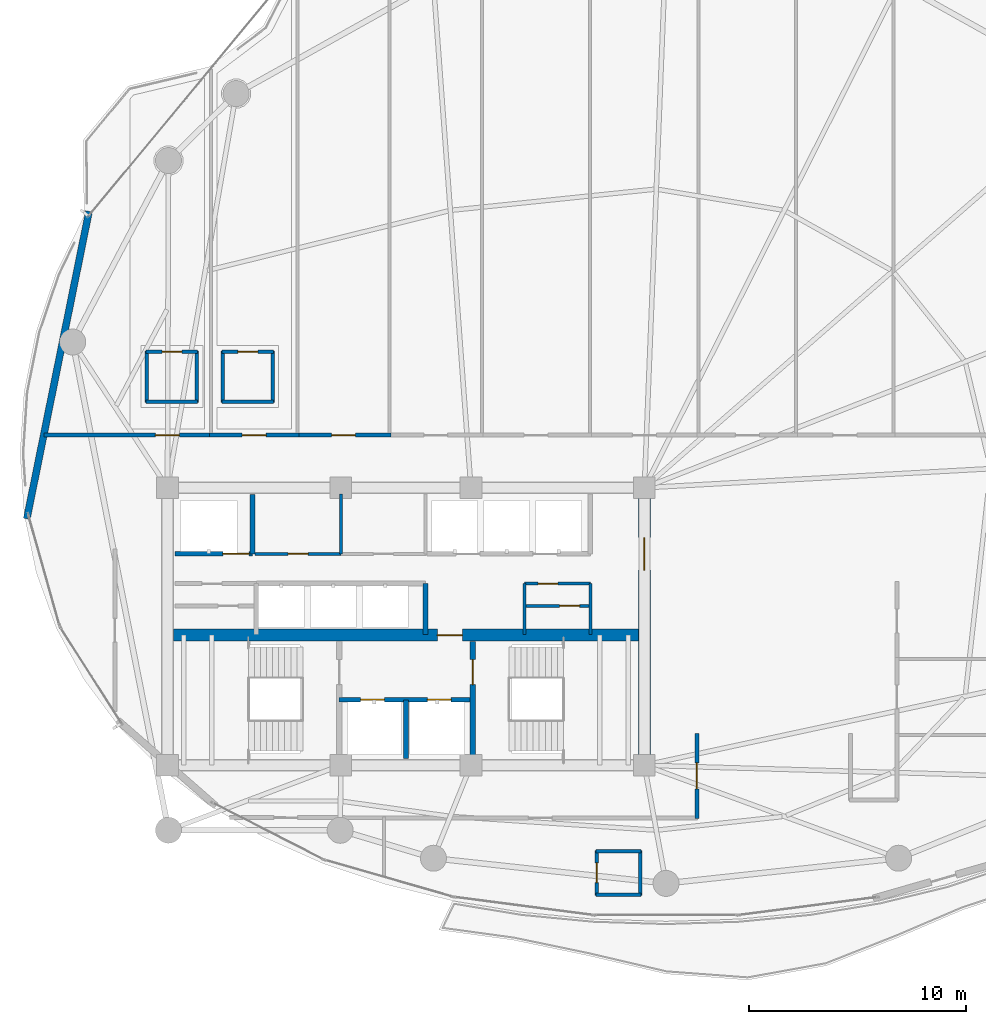
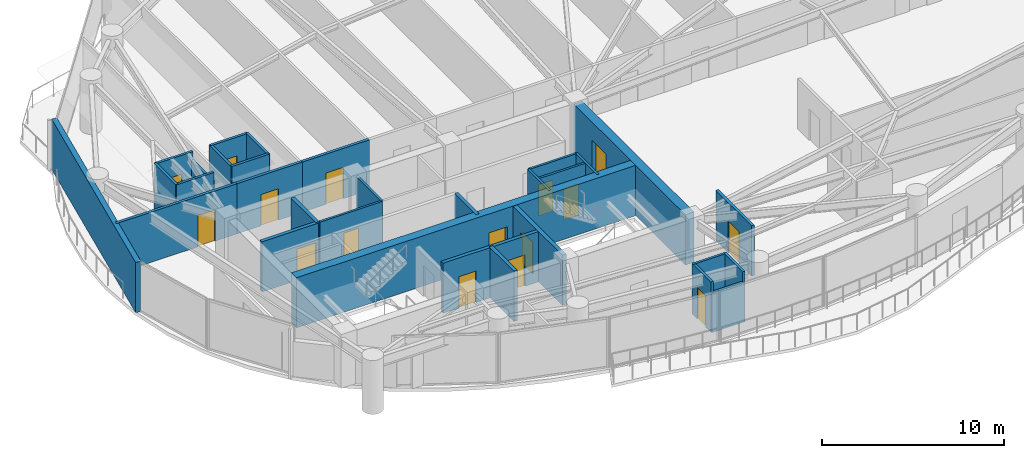
# One storey, part 23 of 28: 31 walls, 16 doors, 16 openings.
"""IFC4 building model written with IfcOpenShell, lengths in metres."""

from ifc_helpers import new_model, si_unit, direction, frame, frame_2d, origin, place, context, subcontext, project, spatial, rectangle, extrude, material, layer, layer_set, type_object, element, fill, save


model = new_model("IFC4")

# Units and contexts
model_context = context("Model", 3, precision=1e-05, world=origin(), true_north=direction((0.0, 1.0)))
body_context = subcontext(model_context, "Body", "Model", "MODEL_VIEW")
ifc_project = project(units=[si_unit("LENGTHUNIT", "METRE"), si_unit("AREAUNIT", "SQUARE_METRE"), si_unit("VOLUMEUNIT", "CUBIC_METRE"), si_unit("PLANEANGLEUNIT", "RADIAN"), si_unit("MASSUNIT", "GRAM", prefix="KILO")], contexts=[model_context])

# Site, building, storey
site_placement = place(None, origin())
site = spatial("IfcSite", under=ifc_project, at=site_placement, CompositionType="ELEMENT")
building_placement = place(site_placement, origin())
building = spatial("IfcBuilding", under=site, at=building_placement, Name="Kazevale Care Tower and Concert Hall", CompositionType="ELEMENT")
storey_placement = place(building_placement, frame((0.0, 0.0, 109.800048828125)))
storey = spatial("IfcBuildingStorey", under=building, at=storey_placement, Name="L28", CompositionType="ELEMENT", Elevation=109.800048828125)

# Wall, opening, door
ifc_material_1 = material(Name="Acoustic Gypsum on Steel Stud", Category="steel")
ifc_layer_1 = layer(ifc_material_1, 0.139892578125)
ifc_layer_set_1 = layer_set([ifc_layer_1], Name="Acoustic Gypsum on Steel Stud")
wall_type_1 = type_object("IfcWallType", Name="Acoustic Care & Suite Partition 140", PredefinedType="PARTITIONING", material=ifc_layer_set_1)
wall_1_placement = place(storey_placement, frame((26.050048828125, 33.35009765625, 0.0), z_axis=(0.0, 0.0, 1.0), x_axis=(1.0, 0.0, 0.0)))
wall_1 = element("IfcWall", 1, at=wall_1_placement, inside=storey, type_object=wall_type_1, Name="wall:L28:c_rpl1_s", PredefinedType="PARTITIONING", context=body_context, shape_type="SweptSolid", body=[
    extrude(rectangle(XDim=3.949951171875, YDim=0.139892578125, at=frame_2d((1.97509765625, 0.0))), origin(), (0.0, 0.0, 1.0), 3.35986328125),
])
opening_1_placement = place(wall_1_placement, frame((1.514892578125, 0.0, 0.0)))
opening_1 = element("IfcOpeningElement", 2, at=opening_1_placement, cuts=wall_1, Name="Opening ID-900", PredefinedType="OPENING", context=body_context, shape_type="SweptSolid", body=[
    extrude(rectangle(XDim=0.919921875, YDim=2.10009765625, at=frame_2d((0.4599609375, 1.050048828125))), frame((0.0, 0.079833984375, 0.0), z_axis=(0.0, -1.0, 0.0), x_axis=(1.0, 0.0, 0.0)), (0.0, 0.0, 1.0), 0.159912109375),
])
ifc_material_2 = material(Name="Oak Timber Fire Leaf", Category="wood")
door_type_1 = type_object("IfcDoorType", Name="Bathroom & Service Door 920x2100", OperationType="NOTDEFINED", PredefinedType="DOOR", material=ifc_material_2)
door_1_placement = place(opening_1_placement, origin())
door_1 = element("IfcDoor", 3, at=door_1_placement, inside=storey, type_object=door_type_1, Name="door:L28:d_rpl1", OperationType="SINGLE_SWING_LEFT", OverallHeight=2.10009765625, OverallWidth=0.919921875, PredefinedType="DOOR", context=body_context, shape_type="SweptSolid", body=[
    extrude(rectangle(XDim=0.919921875, YDim=2.10009765625, at=frame_2d((0.4599609375, 1.050048828125))), frame((0.0, 0.02490234375, 0.0), z_axis=(0.0, -1.0, 0.0), x_axis=(1.0, 0.0, 0.0)), (0.0, 0.0, 1.0), 0.050048828125),
])
fill(opening_1, door_1)

# Walls
wall_2_placement = place(storey_placement, frame((30.0, 33.35009765625, 0.0), z_axis=(0.0, 0.0, 1.0), x_axis=(0.0, 1.0, 0.0)))
element("IfcWall", 4, at=wall_2_placement, inside=storey, type_object=wall_type_1, Name="wall:L28:c_rpl_m", PredefinedType="PARTITIONING", context=body_context, shape_type="SweptSolid", body=[
    extrude(rectangle(XDim=2.75, YDim=0.139892578125, at=frame_2d((1.375, 0.0))), origin(), (0.0, 0.0, 1.0), 3.35986328125),
])
for number, where, z_axis, x_axis, name in (
    (5, (38.47998046875, 29.6201171875, 0.0), (0.0, 0.0, 1.0), (0.0, 1.0, 0.0), "wall:L28:kc_ew"),
    (6, (41.52001953125, 29.6201171875, 0.0), (0.0, 0.0, 1.0), (0.0, 1.0, 0.0), "wall:L28:kc_ee"),
):
    element("IfcWall", number, at=place(storey_placement, frame(where, z_axis=z_axis, x_axis=x_axis)), inside=storey, type_object=wall_type_1, Name=name, PredefinedType="PARTITIONING", context=body_context, shape_type="SweptSolid", body=[
        extrude(rectangle(XDim=2.35986328125, YDim=0.139892578125, at=frame_2d((1.179931640625, 0.0))), origin(), (0.0, 0.0, 1.0), 3.35986328125),
    ])

# Wall, opening, door
wall_3_placement = place(storey_placement, frame((38.47998046875, 30.949951171875, 0.0), z_axis=(0.0, 0.0, 1.0), x_axis=(1.0, 0.0, 0.0)))
wall_3 = element("IfcWall", 7, at=wall_3_placement, inside=storey, type_object=wall_type_1, Name="wall:L28:kc_em", PredefinedType="PARTITIONING", context=body_context, shape_type="SweptSolid", body=[
    extrude(rectangle(XDim=3.0400390625, YDim=0.139892578125, at=frame_2d((1.52001953125, 0.0))), origin(), (0.0, 0.0, 1.0), 3.35986328125),
])
opening_2_placement = place(wall_3_placement, frame((1.616943359375, 0.0, 0.0)))
opening_2 = element("IfcOpeningElement", 8, at=opening_2_placement, cuts=wall_3, Name="Opening ID-900", PredefinedType="OPENING", context=body_context, shape_type="SweptSolid", body=[
    extrude(rectangle(XDim=0.919921875, YDim=2.10009765625, at=frame_2d((0.4599609375, 1.050048828125))), frame((0.0, 0.079833984375, 0.0), z_axis=(0.0, -1.0, 0.0), x_axis=(1.0, 0.0, 0.0)), (0.0, 0.0, 1.0), 0.159912109375),
])
door_2_placement = place(opening_2_placement, origin())
door_2 = element("IfcDoor", 9, at=door_2_placement, inside=storey, type_object=door_type_1, Name="door:L28:d_kceb", OperationType="SINGLE_SWING_RIGHT", OverallHeight=2.10009765625, OverallWidth=0.919921875, PredefinedType="DOOR", context=body_context, shape_type="SweptSolid", body=[
    extrude(rectangle(XDim=0.919921875, YDim=2.10009765625, at=frame_2d((0.4599609375, 1.050048828125))), frame((0.0, 0.02490234375, 0.0), z_axis=(0.0, -1.0, 0.0), x_axis=(1.0, 0.0, 0.0)), (0.0, 0.0, 1.0), 0.050048828125),
])
fill(opening_2, door_2)

wall_4_placement = place(storey_placement, frame((38.47998046875, 31.97998046875, 0.0), z_axis=(0.0, 0.0, 1.0), x_axis=(1.0, 0.0, 0.0)))
wall_4 = element("IfcWall", 10, at=wall_4_placement, inside=storey, type_object=wall_type_1, Name="wall:L28:kc_en", PredefinedType="PARTITIONING", context=body_context, shape_type="SweptSolid", body=[
    extrude(rectangle(XDim=3.0400390625, YDim=0.139892578125, at=frame_2d((1.52001953125, 0.0))), origin(), (0.0, 0.0, 1.0), 3.35986328125),
])
opening_3_placement = place(wall_4_placement, frame((0.614013671875, 0.0, 0.0)))
opening_3 = element("IfcOpeningElement", 11, at=opening_3_placement, cuts=wall_4, Name="Opening ID-900", PredefinedType="OPENING", context=body_context, shape_type="SweptSolid", body=[
    extrude(rectangle(XDim=0.919921875, YDim=2.10009765625, at=frame_2d((0.4599609375, 1.050048828125))), frame((0.0, 0.079833984375, 0.0), z_axis=(0.0, -1.0, 0.0), x_axis=(1.0, 0.0, 0.0)), (0.0, 0.0, 1.0), 0.159912109375),
])
door_3_placement = place(opening_3_placement, origin())
door_3 = element("IfcDoor", 12, at=door_3_placement, inside=storey, type_object=door_type_1, Name="door:L28:d_kcet", OperationType="SINGLE_SWING_LEFT", OverallHeight=2.10009765625, OverallWidth=0.919921875, PredefinedType="DOOR", context=body_context, shape_type="SweptSolid", body=[
    extrude(rectangle(XDim=0.919921875, YDim=2.10009765625, at=frame_2d((0.4599609375, 1.050048828125))), frame((0.0, 0.02490234375, 0.0), z_axis=(0.0, -1.0, 0.0), x_axis=(1.0, 0.0, 0.0)), (0.0, 0.0, 1.0), 0.050048828125),
])
fill(opening_3, door_3)

ifc_material_3 = material(Name="Concrete C60", Category="concrete")
ifc_layer_2 = layer(ifc_material_3, 0.550048828125)
ifc_layer_set_2 = layer_set([ifc_layer_2], Name="Concrete C60")
wall_type_2 = type_object("IfcWallType", Name="Core Shear Wall 550 C60", PredefinedType="SHEAR", material=ifc_layer_set_2)
wall_5_placement = place(storey_placement, frame((44.0, 23.875, 0.0), z_axis=(0.0, 0.0, 1.0), x_axis=(0.0, 1.0, 0.0)))
wall_5 = element("IfcWall", 13, at=wall_5_placement, inside=storey, type_object=wall_type_2, Name="wall:L28:core:E", PredefinedType="SHEAR", context=body_context, shape_type="SweptSolid", body=[
    extrude(rectangle(XDim=12.25, YDim=0.550048828125, at=frame_2d((6.125, 0.0))), origin(), (0.0, 0.0, 1.0), 3.35986328125),
])
opening_4_placement = place(wall_5_placement, frame((8.72509765625, 0.0, 0.0)))
opening_4 = element("IfcOpeningElement", 14, at=opening_4_placement, cuts=wall_5, Name="Opening FD-60D", PredefinedType="OPENING", context=body_context, shape_type="SweptSolid", body=[
    extrude(rectangle(XDim=1.5, YDim=2.14990234375, at=frame_2d((0.75, 1.074951171875))), frame((0.0, 0.284912109375, 0.0), z_axis=(0.0, -1.0, 0.0), x_axis=(1.0, 0.0, 0.0)), (0.0, 0.0, 1.0), 0.570068359375),
])
door_type_2 = type_object("IfcDoorType", Name="Double Lobby & Auditorium Fire Door 1500x2150", OperationType="NOTDEFINED", PredefinedType="DOOR", material=ifc_material_2)
door_4_placement = place(opening_4_placement, origin())
door_4 = element("IfcDoor", 15, at=door_4_placement, inside=storey, type_object=door_type_2, Name="door:L28:core_east_out", OperationType="DOUBLE_DOOR_SINGLE_SWING", OverallHeight=2.14990234375, OverallWidth=1.5, PredefinedType="DOOR", context=body_context, shape_type="SweptSolid", body=[
    extrude(rectangle(XDim=1.5, YDim=2.14990234375, at=frame_2d((0.75, 1.074951171875))), frame((0.0, 0.02490234375, 0.0), z_axis=(0.0, -1.0, 0.0), x_axis=(1.0, 0.0, 0.0)), (0.0, 0.0, 1.0), 0.050048828125),
])
fill(opening_4, door_4)

wall_6_placement = place(storey_placement, frame((22.27490234375, 29.60009765625, 0.0), z_axis=(0.0, 0.0, 1.0), x_axis=(1.0, 0.0, 0.0)))
wall_6 = element("IfcWall", 16, at=wall_6_placement, inside=storey, type_object=wall_type_2, Name="wall:L28:core:M", PredefinedType="SHEAR", context=body_context, shape_type="SweptSolid", body=[
    extrude(rectangle(XDim=21.4501953125, YDim=0.550048828125, at=frame_2d((10.72509765625, 0.0))), origin(), (0.0, 0.0, 1.0), 3.35986328125),
])
opening_5_placement = place(wall_6_placement, frame((12.175048828125, 0.0, 0.0)))
opening_5 = element("IfcOpeningElement", 17, at=opening_5_placement, cuts=wall_6, Name="Opening FD-90", PredefinedType="OPENING", context=body_context, shape_type="SweptSolid", body=[
    extrude(rectangle(XDim=1.14990234375, YDim=2.10009765625, at=frame_2d((0.574951171875, 1.050048828125))), frame((0.0, 0.284912109375, 0.0), z_axis=(0.0, -1.0, 0.0), x_axis=(1.0, 0.0, 0.0)), (0.0, 0.0, 1.0), 0.570068359375),
])
ifc_material_4 = material(Name="Steel ASTM A572 Gr 50", Category="steel")
door_type_3 = type_object("IfcDoorType", Name="Pressurized Stair & Lobby Fire Door 1150x2100", OperationType="NOTDEFINED", PredefinedType="DOOR", material=ifc_material_4)
door_5_placement = place(opening_5_placement, origin())
door_5 = element("IfcDoor", 18, at=door_5_placement, inside=storey, type_object=door_type_3, Name="door:L28:ff_to_pax", OperationType="SINGLE_SWING_LEFT", OverallHeight=2.10009765625, OverallWidth=1.14990234375, PredefinedType="DOOR", context=body_context, shape_type="SweptSolid", body=[
    extrude(rectangle(XDim=1.14990234375, YDim=2.10009765625, at=frame_2d((0.574951171875, 1.050048828125))), frame((0.0, 0.02490234375, 0.0), z_axis=(0.0, -1.0, 0.0), x_axis=(1.0, 0.0, 0.0)), (0.0, 0.0, 1.0), 0.050048828125),
])
fill(opening_5, door_5)

# Wall, openings, doors
ifc_material_5 = material(Name="Concrete C40", Category="concrete")
ifc_layer_3 = layer(ifc_material_5, 0.219970703125)
ifc_layer_set_3 = layer_set([ifc_layer_3], Name="Concrete C40")
wall_type_3 = type_object("IfcWallType", Name="Elevator Hoistway Shaft Wall 220", PredefinedType="SOLIDWALL", material=ifc_layer_set_3)
wall_7_placement = place(storey_placement, frame((29.919921875, 26.6201171875, 0.0), z_axis=(0.0, 0.0, 1.0), x_axis=(1.0, 0.0, 0.0)))
wall_7 = element("IfcWall", 19, at=wall_7_placement, inside=storey, type_object=wall_type_3, Name="wall:L28:c_ffl_n", PredefinedType="SOLIDWALL", context=body_context, shape_type="SweptSolid", body=[
    extrude(rectangle(XDim=6.16015625, YDim=0.219970703125, at=frame_2d((3.080078125, 0.0))), origin(), (0.0, 0.0, 1.0), 3.35986328125),
])
opening_6_placement = place(wall_7_placement, frame((0.989990234375, 0.0, 0.0)))
opening_6 = element("IfcOpeningElement", 20, at=opening_6_placement, cuts=wall_7, Name="Opening LD-FF", PredefinedType="OPENING", context=body_context, shape_type="SweptSolid", body=[
    extrude(rectangle(XDim=1.10009765625, YDim=2.10009765625, at=frame_2d((0.550048828125, 1.050048828125))), frame((0.0, 0.119873046875, 0.0), z_axis=(0.0, -1.0, 0.0), x_axis=(1.0, 0.0, 0.0)), (0.0, 0.0, 1.0), 0.239990234375),
])
opening_7_placement = place(wall_7_placement, frame((4.070068359375, 0.0, 0.0)))
opening_7 = element("IfcOpeningElement", 21, at=opening_7_placement, cuts=wall_7, Name="Opening LD-FF", PredefinedType="OPENING", context=body_context, shape_type="SweptSolid", body=[
    extrude(rectangle(XDim=1.10009765625, YDim=2.10009765625, at=frame_2d((0.550048828125, 1.050048828125))), frame((0.0, 0.119873046875, 0.0), z_axis=(0.0, -1.0, 0.0), x_axis=(1.0, 0.0, 0.0)), (0.0, 0.0, 1.0), 0.239990234375),
])
ifc_material_6 = material(Name="Stainless Steel 316", Category="steel")
door_type_4 = type_object("IfcDoorType", Name="Emergency Lift Sliding Landing Door 1100x2100", OperationType="NOTDEFINED", PredefinedType="DOOR", material=ifc_material_6)
door_6_placement = place(opening_6_placement, origin())
door_6 = element("IfcDoor", 22, at=door_6_placement, inside=storey, type_object=door_type_4, Name="door:L28:ld_ffl1", OperationType="SLIDING_TO_LEFT", OverallHeight=2.10009765625, OverallWidth=1.10009765625, PredefinedType="DOOR", context=body_context, shape_type="SweptSolid", body=[
    extrude(rectangle(XDim=1.10009765625, YDim=2.10009765625, at=frame_2d((0.550048828125, 1.050048828125))), frame((0.0, 0.02490234375, 0.0), z_axis=(0.0, -1.0, 0.0), x_axis=(1.0, 0.0, 0.0)), (0.0, 0.0, 1.0), 0.050048828125),
])
fill(opening_6, door_6)
door_7_placement = place(opening_7_placement, origin())
door_7 = element("IfcDoor", 23, at=door_7_placement, inside=storey, type_object=door_type_4, Name="door:L28:ld_ffl2", OperationType="SLIDING_TO_RIGHT", OverallHeight=2.10009765625, OverallWidth=1.10009765625, PredefinedType="DOOR", context=body_context, shape_type="SweptSolid", body=[
    extrude(rectangle(XDim=1.10009765625, YDim=2.10009765625, at=frame_2d((0.550048828125, 1.050048828125))), frame((0.0, 0.02490234375, 0.0), z_axis=(0.0, -1.0, 0.0), x_axis=(1.0, 0.0, 0.0)), (0.0, 0.0, 1.0), 0.050048828125),
])
fill(opening_7, door_7)

# Walls
wall_8_placement = place(storey_placement, frame((33.0, 23.89990234375, 0.0), z_axis=(0.0, 0.0, 1.0), x_axis=(0.0, 1.0, 0.0)))
element("IfcWall", 24, at=wall_8_placement, inside=storey, type_object=wall_type_3, Name="wall:L28:c_ffl_m", PredefinedType="SOLIDWALL", context=body_context, shape_type="SweptSolid", body=[
    extrude(rectangle(XDim=2.72021484375, YDim=0.219970703125, at=frame_2d((1.360107421875, 0.0))), origin(), (0.0, 0.0, 1.0), 3.35986328125),
])
wall_9_placement = place(storey_placement, frame((25.919921875, 33.35009765625, 0.0), z_axis=(0.0, 0.0, 1.0), x_axis=(0.0, 1.0, 0.0)))
element("IfcWall", 25, at=wall_9_placement, inside=storey, type_object=wall_type_3, Name="wall:L28:c_svl_e", PredefinedType="SOLIDWALL", context=body_context, shape_type="SweptSolid", body=[
    extrude(rectangle(XDim=2.72998046875, YDim=0.219970703125, at=frame_2d((1.364990234375, 0.0))), origin(), (0.0, 0.0, 1.0), 3.35986328125),
])

# Wall, opening, door
wall_10_placement = place(storey_placement, frame((22.35009765625, 33.35009765625, 0.0), z_axis=(0.0, 0.0, 1.0), x_axis=(1.0, 0.0, 0.0)))
wall_10 = element("IfcWall", 26, at=wall_10_placement, inside=storey, type_object=wall_type_3, Name="wall:L28:c_svl_s", PredefinedType="SOLIDWALL", context=body_context, shape_type="SweptSolid", body=[
    extrude(rectangle(XDim=3.56982421875, YDim=0.219970703125, at=frame_2d((1.784912109375, 0.0))), origin(), (0.0, 0.0, 1.0), 3.35986328125),
])
opening_8_placement = place(wall_10_placement, frame((2.212890625, 0.0, 0.0)))
opening_8 = element("IfcOpeningElement", 27, at=opening_8_placement, cuts=wall_10, Name="Opening LD-SV", PredefinedType="OPENING", context=body_context, shape_type="SweptSolid", body=[
    extrude(rectangle(XDim=1.199951171875, YDim=2.10009765625, at=frame_2d((0.60009765625, 1.050048828125))), frame((0.0, 0.119873046875, 0.0), z_axis=(0.0, -1.0, 0.0), x_axis=(1.0, 0.0, 0.0)), (0.0, 0.0, 1.0), 0.239990234375),
])
door_type_5 = type_object("IfcDoorType", Name="Service Lift Sliding Landing Door 1200x2100", OperationType="NOTDEFINED", PredefinedType="DOOR", material=ifc_material_6)
door_8_placement = place(opening_8_placement, origin())
door_8 = element("IfcDoor", 28, at=door_8_placement, inside=storey, type_object=door_type_5, Name="door:L28:ld_svl1", OperationType="SLIDING_TO_LEFT", OverallHeight=2.10009765625, OverallWidth=1.199951171875, PredefinedType="DOOR", context=body_context, shape_type="SweptSolid", body=[
    extrude(rectangle(XDim=1.199951171875, YDim=2.10009765625, at=frame_2d((0.60009765625, 1.050048828125))), frame((0.0, 0.02490234375, 0.0), z_axis=(0.0, -1.0, 0.0), x_axis=(1.0, 0.0, 0.0)), (0.0, 0.0, 1.0), 0.050048828125),
])
fill(opening_8, door_8)

# Wall
wall_11_placement = place(storey_placement, frame((33.89990234375, 29.6201171875, 0.0), z_axis=(0.0, 0.0, 1.0), x_axis=(0.0, 1.0, 0.0)))
element("IfcWall", 29, at=wall_11_placement, inside=storey, type_object=wall_type_3, Name="wall:L28:c_ph_e", PredefinedType="SOLIDWALL", context=body_context, shape_type="SweptSolid", body=[
    extrude(rectangle(XDim=2.35986328125, YDim=0.219970703125, at=frame_2d((1.179931640625, 0.0))), origin(), (0.0, 0.0, 1.0), 3.35986328125),
])

# Wall, opening, door
ifc_material_7 = material(Name="Concrete C40 and Acoustic Gypsum", Category="concrete")
ifc_layer_4 = layer(ifc_material_7, 0.179931640625)
ifc_layer_set_4 = layer_set([ifc_layer_4], Name="Concrete C40 and Acoustic Gypsum")
wall_type_4 = type_object("IfcWallType", Name="Fire-Rated Corridor & Party Wall 180", PredefinedType="PARTITIONING", material=ifc_layer_set_4)
wall_12_placement = place(storey_placement, frame((16.3046875, 38.824951171875, 0.0), z_axis=(0.0, 0.0, 1.0), x_axis=(1.0, 0.0, 0.0)))
wall_12 = element("IfcWall", 30, at=wall_12_placement, inside=storey, type_object=wall_type_4, Name="wall:L28:auto_001", PredefinedType="PARTITIONING", context=body_context, shape_type="SweptSolid", body=[
    extrude(rectangle(XDim=7.76025390625, YDim=0.179931640625, at=frame_2d((3.880126953125, 0.0))), origin(), (0.0, 0.0, 1.0), 3.35986328125),
])
opening_9_placement = place(wall_12_placement, frame((5.14501953125, 0.0, 0.0)))
opening_9 = element("IfcOpeningElement", 31, at=opening_9_placement, cuts=wall_12, Name="Opening ID-1100", PredefinedType="OPENING", context=body_context, shape_type="SweptSolid", body=[
    extrude(rectangle(XDim=1.10009765625, YDim=2.10009765625, at=frame_2d((0.550048828125, 1.050048828125))), frame((0.0, 0.099853515625, 0.0), z_axis=(0.0, -1.0, 0.0), x_axis=(1.0, 0.0, 0.0)), (0.0, 0.0, 1.0), 0.199951171875),
])
door_type_6 = type_object("IfcDoorType", Name="Care Bedroom Accessible Door 1100x2100", OperationType="NOTDEFINED", PredefinedType="DOOR", material=ifc_material_2)
door_9_placement = place(opening_9_placement, origin())
door_9 = element("IfcDoor", 32, at=door_9_placement, inside=storey, type_object=door_type_6, Name="door:L28:ad_001", OperationType="SINGLE_SWING_LEFT", OverallHeight=2.10009765625, OverallWidth=1.10009765625, PredefinedType="DOOR", context=body_context, shape_type="SweptSolid", body=[
    extrude(rectangle(XDim=1.10009765625, YDim=2.10009765625, at=frame_2d((0.550048828125, 1.050048828125))), frame((0.0, 0.02490234375, 0.0), z_axis=(0.0, -1.0, 0.0), x_axis=(1.0, 0.0, 0.0)), (0.0, 0.0, 1.0), 0.050048828125),
])
fill(opening_9, door_9)

wall_13_placement = place(storey_placement, frame((23.93505859375, 38.824951171875, 0.0), z_axis=(0.0, 0.0, 1.0), x_axis=(1.0, 0.0, 0.0)))
wall_13 = element("IfcWall", 33, at=wall_13_placement, inside=storey, type_object=wall_type_4, Name="wall:L28:auto_002", PredefinedType="PARTITIONING", context=body_context, shape_type="SweptSolid", body=[
    extrude(rectangle(XDim=4.1298828125, YDim=0.179931640625, at=frame_2d((2.06494140625, 0.0))), origin(), (0.0, 0.0, 1.0), 3.35986328125),
])
opening_10_placement = place(wall_13_placement, frame((1.514892578125, 0.0, 0.0)))
opening_10 = element("IfcOpeningElement", 34, at=opening_10_placement, cuts=wall_13, Name="Opening ID-1100", PredefinedType="OPENING", context=body_context, shape_type="SweptSolid", body=[
    extrude(rectangle(XDim=1.10009765625, YDim=2.10009765625, at=frame_2d((0.550048828125, 1.050048828125))), frame((0.0, 0.099853515625, 0.0), z_axis=(0.0, -1.0, 0.0), x_axis=(1.0, 0.0, 0.0)), (0.0, 0.0, 1.0), 0.199951171875),
])
door_10_placement = place(opening_10_placement, origin())
door_10 = element("IfcDoor", 35, at=door_10_placement, inside=storey, type_object=door_type_6, Name="door:L28:ad_002", OperationType="SINGLE_SWING_LEFT", OverallHeight=2.10009765625, OverallWidth=1.10009765625, PredefinedType="DOOR", context=body_context, shape_type="SweptSolid", body=[
    extrude(rectangle(XDim=1.10009765625, YDim=2.10009765625, at=frame_2d((0.550048828125, 1.050048828125))), frame((0.0, 0.02490234375, 0.0), z_axis=(0.0, -1.0, 0.0), x_axis=(1.0, 0.0, 0.0)), (0.0, 0.0, 1.0), 0.050048828125),
])
fill(opening_10, door_10)

wall_14_placement = place(storey_placement, frame((27.93505859375, 38.824951171875, 0.0), z_axis=(0.0, 0.0, 1.0), x_axis=(1.0, 0.0, 0.0)))
wall_14 = element("IfcWall", 36, at=wall_14_placement, inside=storey, type_object=wall_type_4, Name="wall:L28:auto_003", PredefinedType="PARTITIONING", context=body_context, shape_type="SweptSolid", body=[
    extrude(rectangle(XDim=4.3798828125, YDim=0.179931640625, at=frame_2d((2.18994140625, 0.0))), origin(), (0.0, 0.0, 1.0), 3.35986328125),
])
opening_11_placement = place(wall_14_placement, frame((1.639892578125, 0.0, 0.0)))
opening_11 = element("IfcOpeningElement", 37, at=opening_11_placement, cuts=wall_14, Name="Opening ID-1100", PredefinedType="OPENING", context=body_context, shape_type="SweptSolid", body=[
    extrude(rectangle(XDim=1.10009765625, YDim=2.10009765625, at=frame_2d((0.550048828125, 1.050048828125))), frame((0.0, 0.099853515625, 0.0), z_axis=(0.0, -1.0, 0.0), x_axis=(1.0, 0.0, 0.0)), (0.0, 0.0, 1.0), 0.199951171875),
])
door_11_placement = place(opening_11_placement, origin())
door_11 = element("IfcDoor", 38, at=door_11_placement, inside=storey, type_object=door_type_6, Name="door:L28:ad_003", OperationType="SINGLE_SWING_LEFT", OverallHeight=2.10009765625, OverallWidth=1.10009765625, PredefinedType="DOOR", context=body_context, shape_type="SweptSolid", body=[
    extrude(rectangle(XDim=1.10009765625, YDim=2.10009765625, at=frame_2d((0.550048828125, 1.050048828125))), frame((0.0, 0.02490234375, 0.0), z_axis=(0.0, -1.0, 0.0), x_axis=(1.0, 0.0, 0.0)), (0.0, 0.0, 1.0), 0.050048828125),
])
fill(opening_11, door_11)

wall_15_placement = place(storey_placement, frame((46.425048828125, 25.06494140625, 0.0), z_axis=(0.0, 0.0, 1.0), x_axis=(0.0, -1.0, 0.0)))
wall_15 = element("IfcWall", 39, at=wall_15_placement, inside=storey, type_object=wall_type_4, Name="wall:L28:auto_011", PredefinedType="PARTITIONING", context=body_context, shape_type="SweptSolid", body=[
    extrude(rectangle(XDim=3.919921875, YDim=0.179931640625, at=frame_2d((1.9599609375, 0.0))), origin(), (0.0, 0.0, 1.0), 3.35986328125),
])
opening_12_placement = place(wall_15_placement, frame((1.360107421875, 0.0, 0.0)))
opening_12 = element("IfcOpeningElement", 40, at=opening_12_placement, cuts=wall_15, Name="Opening ID-1200", PredefinedType="OPENING", context=body_context, shape_type="SweptSolid", body=[
    extrude(rectangle(XDim=1.199951171875, YDim=2.14990234375, at=frame_2d((0.60009765625, 1.074951171875))), frame((0.0, 0.099853515625, 0.0), z_axis=(0.0, -1.0, 0.0), x_axis=(1.0, 0.0, 0.0)), (0.0, 0.0, 1.0), 0.199951171875),
])
door_type_7 = type_object("IfcDoorType", Name="Clinical & Therapy Door 1200x2150", OperationType="NOTDEFINED", PredefinedType="DOOR", material=ifc_material_2)
door_12_placement = place(opening_12_placement, origin())
door_12 = element("IfcDoor", 41, at=door_12_placement, inside=storey, type_object=door_type_7, Name="door:L28:ad_011", OperationType="SINGLE_SWING_LEFT", OverallHeight=2.14990234375, OverallWidth=1.199951171875, PredefinedType="DOOR", context=body_context, shape_type="SweptSolid", body=[
    extrude(rectangle(XDim=1.199951171875, YDim=2.14990234375, at=frame_2d((0.60009765625, 1.074951171875))), frame((0.0, 0.02490234375, 0.0), z_axis=(0.0, -1.0, 0.0), x_axis=(1.0, 0.0, 0.0)), (0.0, 0.0, 1.0), 0.050048828125),
])
fill(opening_12, door_12)

# Wall
ifc_layer_5 = layer(ifc_material_1, 0.159912109375)
ifc_layer_set_5 = layer_set([ifc_layer_5], Name="Acoustic Gypsum on Steel Stud")
wall_type_5 = type_object("IfcWallType", Name="Moisture-Resistant Bathroom Plumbing Wall 160", PredefinedType="PLUMBINGWALL", material=ifc_layer_set_5)
wall_16_placement = place(storey_placement, frame((21.010009765625, 40.375, 0.0), z_axis=(0.0, 0.0, 1.0), x_axis=(1.0, 0.0, 0.0)))
element("IfcWall", 42, at=wall_16_placement, inside=storey, type_object=wall_type_5, Name="wall:L28:nb2a_ens_ws", PredefinedType="PLUMBINGWALL", context=body_context, shape_type="SweptSolid", body=[
    extrude(rectangle(XDim=2.3798828125, YDim=0.159912109375, at=frame_2d((1.18994140625, 0.0))), origin(), (0.0, 0.0, 1.0), 3.35986328125),
])

# Wall, opening, door
wall_17_placement = place(storey_placement, frame((21.010009765625, 42.675048828125, 0.0), z_axis=(0.0, 0.0, 1.0), x_axis=(1.0, 0.0, 0.0)))
wall_17 = element("IfcWall", 43, at=wall_17_placement, inside=storey, type_object=wall_type_5, Name="wall:L28:nb2a_ens_wn", PredefinedType="PLUMBINGWALL", context=body_context, shape_type="SweptSolid", body=[
    extrude(rectangle(XDim=2.3798828125, YDim=0.159912109375, at=frame_2d((1.18994140625, 0.0))), origin(), (0.0, 0.0, 1.0), 3.35986328125),
])
opening_13_placement = place(wall_17_placement, frame((0.739990234375, 0.0, 0.0)))
opening_13 = element("IfcOpeningElement", 44, at=opening_13_placement, cuts=wall_17, Name="Opening ID-900", PredefinedType="OPENING", context=body_context, shape_type="SweptSolid", body=[
    extrude(rectangle(XDim=0.919921875, YDim=2.10009765625, at=frame_2d((0.4599609375, 1.050048828125))), frame((0.0, 0.08984375, 0.0), z_axis=(0.0, -1.0, 0.0), x_axis=(1.0, 0.0, 0.0)), (0.0, 0.0, 1.0), 0.179931640625),
])
door_13_placement = place(opening_13_placement, origin())
door_13 = element("IfcDoor", 45, at=door_13_placement, inside=storey, type_object=door_type_1, Name="door:L28:nb2a_ens_d", OperationType="SINGLE_SWING_RIGHT", OverallHeight=2.10009765625, OverallWidth=0.919921875, PredefinedType="DOOR", context=body_context, shape_type="SweptSolid", body=[
    extrude(rectangle(XDim=0.919921875, YDim=2.10009765625, at=frame_2d((0.4599609375, 1.050048828125))), frame((0.0, 0.02490234375, 0.0), z_axis=(0.0, -1.0, 0.0), x_axis=(1.0, 0.0, 0.0)), (0.0, 0.0, 1.0), 0.050048828125),
])
fill(opening_13, door_13)

# Walls
wall_18_placement = place(storey_placement, frame((21.050048828125, 40.3349609375, 0.0), z_axis=(0.0, 0.0, 1.0), x_axis=(0.0, 1.0, 0.0)))
element("IfcWall", 46, at=wall_18_placement, inside=storey, type_object=wall_type_5, Name="wall:L28:nb2a_ens_ww", PredefinedType="PLUMBINGWALL", context=body_context, shape_type="SweptSolid", body=[
    extrude(rectangle(XDim=2.380126953125, YDim=0.159912109375, at=frame_2d((1.18994140625, 0.0))), origin(), (0.0, 0.0, 1.0), 3.35986328125),
])
wall_19_placement = place(storey_placement, frame((23.35009765625, 40.3349609375, 0.0), z_axis=(0.0, 0.0, 1.0), x_axis=(0.0, 1.0, 0.0)))
element("IfcWall", 47, at=wall_19_placement, inside=storey, type_object=wall_type_5, Name="wall:L28:nb2a_ens_we", PredefinedType="PLUMBINGWALL", context=body_context, shape_type="SweptSolid", body=[
    extrude(rectangle(XDim=2.380126953125, YDim=0.159912109375, at=frame_2d((1.18994140625, 0.0))), origin(), (0.0, 0.0, 1.0), 2.805908203125),
])
wall_20_placement = place(storey_placement, frame((24.510009765625, 40.375, 0.0), z_axis=(0.0, 0.0, 1.0), x_axis=(1.0, 0.0, 0.0)))
element("IfcWall", 48, at=wall_20_placement, inside=storey, type_object=wall_type_5, Name="wall:L28:nb2b_ens_ws", PredefinedType="PLUMBINGWALL", context=body_context, shape_type="SweptSolid", body=[
    extrude(rectangle(XDim=2.3798828125, YDim=0.159912109375, at=frame_2d((1.18994140625, 0.0))), origin(), (0.0, 0.0, 1.0), 3.35986328125),
])

# Wall, opening, door
wall_21_placement = place(storey_placement, frame((24.510009765625, 42.675048828125, 0.0), z_axis=(0.0, 0.0, 1.0), x_axis=(1.0, 0.0, 0.0)))
wall_21 = element("IfcWall", 49, at=wall_21_placement, inside=storey, type_object=wall_type_5, Name="wall:L28:nb2b_ens_wn", PredefinedType="PLUMBINGWALL", context=body_context, shape_type="SweptSolid", body=[
    extrude(rectangle(XDim=2.3798828125, YDim=0.159912109375, at=frame_2d((1.18994140625, 0.0))), origin(), (0.0, 0.0, 1.0), 3.35986328125),
])
opening_14_placement = place(wall_21_placement, frame((0.739990234375, 0.0, 0.0)))
opening_14 = element("IfcOpeningElement", 50, at=opening_14_placement, cuts=wall_21, Name="Opening ID-900", PredefinedType="OPENING", context=body_context, shape_type="SweptSolid", body=[
    extrude(rectangle(XDim=0.919921875, YDim=2.10009765625, at=frame_2d((0.4599609375, 1.050048828125))), frame((0.0, 0.08984375, 0.0), z_axis=(0.0, -1.0, 0.0), x_axis=(1.0, 0.0, 0.0)), (0.0, 0.0, 1.0), 0.179931640625),
])
door_14_placement = place(opening_14_placement, origin())
door_14 = element("IfcDoor", 51, at=door_14_placement, inside=storey, type_object=door_type_1, Name="door:L28:nb2b_ens_d", OperationType="SINGLE_SWING_LEFT", OverallHeight=2.10009765625, OverallWidth=0.919921875, PredefinedType="DOOR", context=body_context, shape_type="SweptSolid", body=[
    extrude(rectangle(XDim=0.919921875, YDim=2.10009765625, at=frame_2d((0.4599609375, 1.050048828125))), frame((0.0, 0.02490234375, 0.0), z_axis=(0.0, -1.0, 0.0), x_axis=(1.0, 0.0, 0.0)), (0.0, 0.0, 1.0), 0.050048828125),
])
fill(opening_14, door_14)

# Walls
for number, where, z_axis, x_axis, name in (
    (52, (24.550048828125, 40.3349609375, 0.0), (0.0, 0.0, 1.0), (0.0, 1.0, 0.0), "wall:L28:nb2b_ens_ww"),
    (53, (26.85009765625, 40.3349609375, 0.0), (0.0, 0.0, 1.0), (0.0, 1.0, 0.0), "wall:L28:nb2b_ens_we"),
):
    element("IfcWall", number, at=place(storey_placement, frame(where, z_axis=z_axis, x_axis=x_axis)), inside=storey, type_object=wall_type_5, Name=name, PredefinedType="PLUMBINGWALL", context=body_context, shape_type="SweptSolid", body=[
        extrude(rectangle(XDim=2.380126953125, YDim=0.159912109375, at=frame_2d((1.18994140625, 0.0))), origin(), (0.0, 0.0, 1.0), 3.35986328125),
    ])
wall_22_placement = place(storey_placement, frame((41.760009765625, 17.6298828125, 0.0), z_axis=(0.0, 0.0, 1.0), x_axis=(1.0, 0.0, 0.0)))
element("IfcWall", 54, at=wall_22_placement, inside=storey, type_object=wall_type_5, Name="wall:L28:sb2_ens_ws", PredefinedType="PLUMBINGWALL", context=body_context, shape_type="SweptSolid", body=[
    extrude(rectangle(XDim=2.080078125, YDim=0.159912109375, at=frame_2d((1.0400390625, 0.0))), origin(), (0.0, 0.0, 1.0), 2.656982421875),
])
wall_23_placement = place(storey_placement, frame((41.760009765625, 19.6298828125, 0.0), z_axis=(0.0, 0.0, 1.0), x_axis=(1.0, 0.0, 0.0)))
element("IfcWall", 55, at=wall_23_placement, inside=storey, type_object=wall_type_5, Name="wall:L28:sb2_ens_wn", PredefinedType="PLUMBINGWALL", context=body_context, shape_type="SweptSolid", body=[
    extrude(rectangle(XDim=2.080078125, YDim=0.159912109375, at=frame_2d((1.0400390625, 0.0))), origin(), (0.0, 0.0, 1.0), 3.35986328125),
])

# Wall, opening, door
wall_24_placement = place(storey_placement, frame((41.800048828125, 17.590087890625, 0.0), z_axis=(0.0, 0.0, 1.0), x_axis=(0.0, 1.0, 0.0)))
wall_24 = element("IfcWall", 56, at=wall_24_placement, inside=storey, type_object=wall_type_5, Name="wall:L28:sb2_ens_ww", PredefinedType="PLUMBINGWALL", context=body_context, shape_type="SweptSolid", body=[
    extrude(rectangle(XDim=2.079833984375, YDim=0.159912109375, at=frame_2d((1.0400390625, 0.0))), origin(), (0.0, 0.0, 1.0), 3.35986328125),
])
opening_15_placement = place(wall_24_placement, frame((0.590087890625, 0.0, 0.0)))
opening_15 = element("IfcOpeningElement", 57, at=opening_15_placement, cuts=wall_24, Name="Opening ID-900", PredefinedType="OPENING", context=body_context, shape_type="SweptSolid", body=[
    extrude(rectangle(XDim=0.919921875, YDim=2.10009765625, at=frame_2d((0.4599609375, 1.050048828125))), frame((0.0, 0.08984375, 0.0), z_axis=(0.0, -1.0, 0.0), x_axis=(1.0, 0.0, 0.0)), (0.0, 0.0, 1.0), 0.179931640625),
])
door_15_placement = place(opening_15_placement, origin())
door_15 = element("IfcDoor", 58, at=door_15_placement, inside=storey, type_object=door_type_1, Name="door:L28:sb2_ens_d", OperationType="SINGLE_SWING_RIGHT", OverallHeight=2.10009765625, OverallWidth=0.919921875, PredefinedType="DOOR", context=body_context, shape_type="SweptSolid", body=[
    extrude(rectangle(XDim=0.919921875, YDim=2.10009765625, at=frame_2d((0.4599609375, 1.050048828125))), frame((0.0, 0.02490234375, 0.0), z_axis=(0.0, -1.0, 0.0), x_axis=(1.0, 0.0, 0.0)), (0.0, 0.0, 1.0), 0.050048828125),
])
fill(opening_15, door_15)

# Wall
wall_25_placement = place(storey_placement, frame((43.800048828125, 17.590087890625, 0.0), z_axis=(0.0, 0.0, 1.0), x_axis=(0.0, 1.0, 0.0)))
element("IfcWall", 59, at=wall_25_placement, inside=storey, type_object=wall_type_5, Name="wall:L28:sb2_ens_we", PredefinedType="PLUMBINGWALL", context=body_context, shape_type="SweptSolid", body=[
    extrude(rectangle(XDim=2.079833984375, YDim=0.159912109375, at=frame_2d((1.0400390625, 0.0))), origin(), (0.0, 0.0, 1.0), 3.35986328125),
])

# Wall, opening, door
ifc_layer_6 = layer(ifc_material_5, 0.25)
ifc_layer_set_6 = layer_set([ifc_layer_6], Name="Concrete C40")
wall_type_6 = type_object("IfcWallType", Name="Pressurized Stair Shaft Wall 250", PredefinedType="SOLIDWALL", material=ifc_layer_set_6)
wall_26_placement = place(storey_placement, frame((36.080078125, 23.89990234375, 0.0), z_axis=(0.0, 0.0, 1.0), x_axis=(0.0, 1.0, 0.0)))
wall_26 = element("IfcWall", 60, at=wall_26_placement, inside=storey, type_object=wall_type_6, Name="wall:L28:c_st2_w", PredefinedType="SOLIDWALL", context=body_context, shape_type="SweptSolid", body=[
    extrude(rectangle(XDim=5.400146484375, YDim=0.25, at=frame_2d((2.7001953125, 0.0))), origin(), (0.0, 0.0, 1.0), 3.35986328125),
])
opening_16_placement = place(wall_26_placement, frame((3.4208984375, 0.0, 0.0)))
opening_16 = element("IfcOpeningElement", 61, at=opening_16_placement, cuts=wall_26, Name="Opening FD-90", PredefinedType="OPENING", context=body_context, shape_type="SweptSolid", body=[
    extrude(rectangle(XDim=1.14990234375, YDim=2.10009765625, at=frame_2d((0.574951171875, 1.050048828125))), frame((0.0, 0.135009765625, 0.0), z_axis=(0.0, -1.0, 0.0), x_axis=(1.0, 0.0, 0.0)), (0.0, 0.0, 1.0), 0.27001953125),
])
door_16_placement = place(opening_16_placement, origin())
door_16 = element("IfcDoor", 62, at=door_16_placement, inside=storey, type_object=door_type_3, Name="door:L28:st2", OperationType="SINGLE_SWING_LEFT", OverallHeight=2.10009765625, OverallWidth=1.14990234375, PredefinedType="DOOR", context=body_context, shape_type="SweptSolid", body=[
    extrude(rectangle(XDim=1.14990234375, YDim=2.10009765625, at=frame_2d((0.574951171875, 1.050048828125))), frame((0.0, 0.02490234375, 0.0), z_axis=(0.0, -1.0, 0.0), x_axis=(1.0, 0.0, 0.0)), (0.0, 0.0, 1.0), 0.050048828125),
])
fill(opening_16, door_16)

# Wall
ifc_material_8 = material(Name="Concrete C40 with Honed Limestone Cladding", Category="masonry")
ifc_layer_7 = layer(ifc_material_8, 0.320068359375)
ifc_layer_set_7 = layer_set([ifc_layer_7], Name="Concrete C40 with Honed Limestone Cladding")
wall_type_7 = type_object("IfcWallType", Name="Tower Honed Limestone Spandrel Wall 320", PredefinedType="STANDARD", material=ifc_layer_set_7)
wall_27_placement = place(storey_placement, frame((15.513916015625, 34.967041015625, 0.0), z_axis=(0.0, 0.0, 1.0), x_axis=(0.198370893133, 0.980127026848, 0.0)))
element("IfcWall", 63, at=wall_27_placement, inside=storey, type_object=wall_type_7, Name="wall:cw:L28:f13", PredefinedType="STANDARD", context=body_context, shape_type="SweptSolid", body=[
    extrude(rectangle(XDim=14.468505859375, YDim=0.320068359375, at=frame_2d((7.234375, 0.0))), origin(), (0.0, 0.0, 1.0), 3.35986328125),
])

save(model, "model.ifc")
